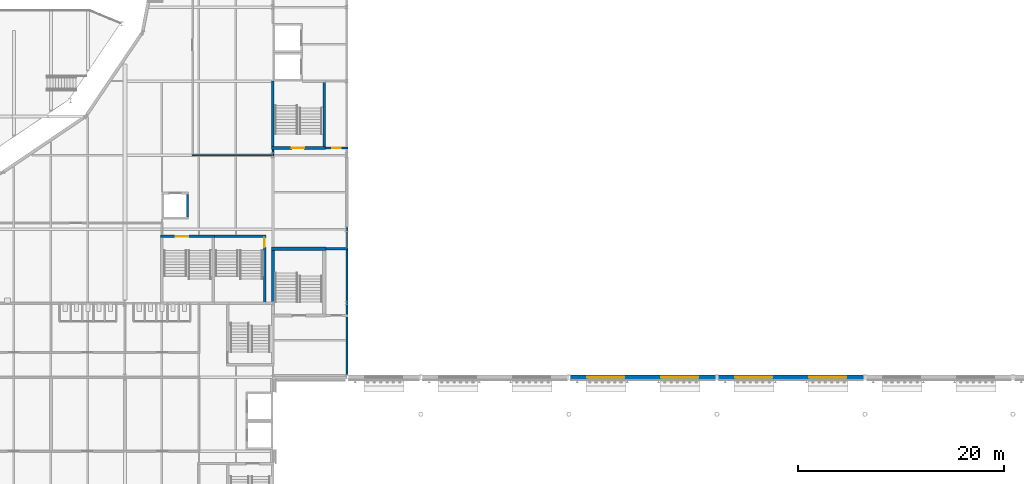
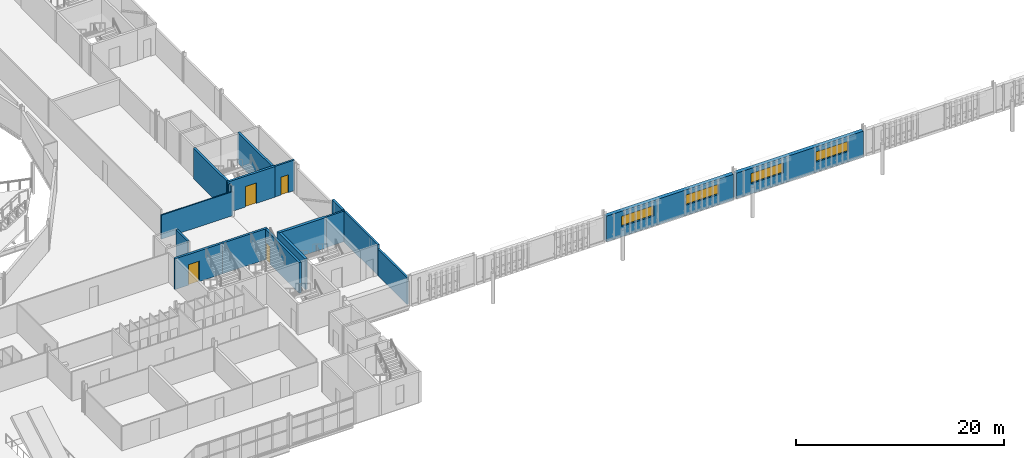
# One storey, part 69 of 124: 18 walls, 4 doors, 4 windows, 8 openings.
"""IFC4 building model written with IfcOpenShell, lengths in metres."""

from ifc_helpers import new_model, si_unit, direction, frame, frame_2d, origin, place, context, subcontext, project, spatial, rectangle, extrude, material, layer, layer_set, type_object, element, fill, save


model = new_model("IFC4")

# Units and contexts
model_context = context("Model", 3, precision=1e-05, world=origin(), true_north=direction((0.0, 1.0)))
body_context = subcontext(model_context, "Body", "Model", "MODEL_VIEW")
ifc_project = project(units=[si_unit("LENGTHUNIT", "METRE"), si_unit("AREAUNIT", "SQUARE_METRE"), si_unit("VOLUMEUNIT", "CUBIC_METRE"), si_unit("PLANEANGLEUNIT", "RADIAN"), si_unit("MASSUNIT", "GRAM", prefix="KILO")], contexts=[model_context])

# Site, building, storey
site_placement = place(None, origin())
site = spatial("IfcSite", under=ifc_project, at=site_placement, CompositionType="ELEMENT")
building_placement = place(site_placement, origin())
building = spatial("IfcBuilding", under=site, at=building_placement, Name="Kupolbacken Congress Centre", CompositionType="ELEMENT")
storey_placement = place(building_placement, frame((0.0, 0.0, 10.800048828125)))
storey = spatial("IfcBuildingStorey", under=building, at=storey_placement, Name="L03", CompositionType="ELEMENT", Elevation=10.800048828125)

# Wall, openings, windows
ifc_material_1 = material(Name="Brick", Category="masonry")
ifc_layer_1 = layer(ifc_material_1, 0.10791015625)
ifc_material_2 = material(Name="Air cavity", Category="air")
ifc_layer_2 = layer(ifc_material_2, 0.0400390625, ventilated=True)
ifc_material_3 = material(Name="Mineral wool", Category="insulation")
ifc_layer_3 = layer(ifc_material_3, 0.152099609375)
ifc_material_4 = material(Name="Concrete block", Category="masonry")
ifc_layer_4 = layer(ifc_material_4, 0.1201171875)
ifc_layer_set_1 = layer_set([ifc_layer_1, ifc_layer_2, ifc_layer_3, ifc_layer_4], Name="Brick / Mineral wool / Concrete block")
wall_type_1 = type_object("IfcWallType", Name="EW04 external cavity wall 420", PredefinedType="SOLIDWALL", material=ifc_layer_set_1)
wall_1_placement = place(storey_placement, frame((108.14990234375, 43.199951171875, 0.0), z_axis=(0.0, 0.0, 1.0), x_axis=(1.0, 0.0, 0.0)))
wall_1 = element("IfcWall", 1, at=wall_1_placement, inside=storey, type_object=wall_type_1, Name="E/H/S/L03/364", PredefinedType="SOLIDWALL", context=body_context, shape_type="SweptSolid", body=[
    extrude(rectangle(XDim=14.10009765625, YDim=0.419921875, at=frame_2d((7.050048828125, 0.0))), origin(), (0.0, 0.0, 1.0), 2.9990234375),
])
opening_1_placement = place(wall_1_placement, frame((1.64990234375, 0.0, 1.199951171875)))
opening_1 = element("IfcOpeningElement", 2, at=opening_1_placement, cuts=wall_1, Name="Opening W12", PredefinedType="OPENING", context=body_context, shape_type="SweptSolid", body=[
    extrude(rectangle(XDim=3.60009765625, YDim=1.199951171875, at=frame_2d((1.800048828125, 0.60009765625))), frame((0.0, 0.219970703125, 0.0), z_axis=(0.0, -1.0, 0.0), x_axis=(1.0, 0.0, 0.0)), (0.0, 0.0, 1.0), 0.43994140625),
])
opening_2_placement = place(wall_1_placement, frame((8.85009765625, 0.0, 1.199951171875)))
opening_2 = element("IfcOpeningElement", 3, at=opening_2_placement, cuts=wall_1, Name="Opening W12", PredefinedType="OPENING", context=body_context, shape_type="SweptSolid", body=[
    extrude(rectangle(XDim=3.60009765625, YDim=1.199951171875, at=frame_2d((1.800048828125, 0.60009765625))), frame((0.0, 0.219970703125, 0.0), z_axis=(0.0, -1.0, 0.0), x_axis=(1.0, 0.0, 0.0)), (0.0, 0.0, 1.0), 0.43994140625),
])
ifc_material_5 = material(Name="Aluminium frame with double or triple glazing", Category="aluminium")
window_type = type_object("IfcWindowType", Name="W12 window 3600x1200", PartitioningType="TRIPLE_PANEL_VERTICAL", PredefinedType="WINDOW", material=ifc_material_5)
window_1_placement = place(opening_1_placement, origin())
window_1 = element("IfcWindow", 4, at=window_1_placement, inside=storey, type_object=window_type, Name="E/H/S/L03/364/W1", OverallHeight=1.199951171875, OverallWidth=3.60009765625, PartitioningType="SINGLE_PANEL", PredefinedType="WINDOW", context=body_context, shape_type="SweptSolid", body=[
    extrude(rectangle(XDim=3.60009765625, YDim=1.199951171875, at=frame_2d((1.800048828125, 0.60009765625))), frame((0.0, 0.030029296875, 0.0), z_axis=(0.0, -1.0, 0.0), x_axis=(1.0, 0.0, 0.0)), (0.0, 0.0, 1.0), 0.06005859375),
])
fill(opening_1, window_1)
window_2_placement = place(opening_2_placement, origin())
window_2 = element("IfcWindow", 5, at=window_2_placement, inside=storey, type_object=window_type, Name="E/H/S/L03/364/W2", OverallHeight=1.199951171875, OverallWidth=3.60009765625, PartitioningType="SINGLE_PANEL", PredefinedType="WINDOW", context=body_context, shape_type="SweptSolid", body=[
    extrude(rectangle(XDim=3.60009765625, YDim=1.199951171875, at=frame_2d((1.800048828125, 0.60009765625))), frame((0.0, 0.030029296875, 0.0), z_axis=(0.0, -1.0, 0.0), x_axis=(1.0, 0.0, 0.0)), (0.0, 0.0, 1.0), 0.06005859375),
])
fill(opening_2, window_2)

wall_2_placement = place(storey_placement, frame((122.550048828125, 43.199951171875, 0.0), z_axis=(0.0, 0.0, 1.0), x_axis=(1.0, 0.0, 0.0)))
wall_2 = element("IfcWall", 6, at=wall_2_placement, inside=storey, type_object=wall_type_1, Name="E/H/S/L03/365", PredefinedType="SOLIDWALL", context=body_context, shape_type="SweptSolid", body=[
    extrude(rectangle(XDim=14.099853515625, YDim=0.419921875, at=frame_2d((7.0498046875, 0.0))), origin(), (0.0, 0.0, 1.0), 2.9990234375),
])
opening_3_placement = place(wall_2_placement, frame((1.64990234375, 0.0, 1.199951171875)))
opening_3 = element("IfcOpeningElement", 7, at=opening_3_placement, cuts=wall_2, Name="Opening W12", PredefinedType="OPENING", context=body_context, shape_type="SweptSolid", body=[
    extrude(rectangle(XDim=3.60009765625, YDim=1.199951171875, at=frame_2d((1.800048828125, 0.60009765625))), frame((0.0, 0.219970703125, 0.0), z_axis=(0.0, -1.0, 0.0), x_axis=(1.0, 0.0, 0.0)), (0.0, 0.0, 1.0), 0.43994140625),
])
opening_4_placement = place(wall_2_placement, frame((8.85009765625, 0.0, 1.199951171875)))
opening_4 = element("IfcOpeningElement", 8, at=opening_4_placement, cuts=wall_2, Name="Opening W12", PredefinedType="OPENING", context=body_context, shape_type="SweptSolid", body=[
    extrude(rectangle(XDim=3.60009765625, YDim=1.199951171875, at=frame_2d((1.800048828125, 0.60009765625))), frame((0.0, 0.219970703125, 0.0), z_axis=(0.0, -1.0, 0.0), x_axis=(1.0, 0.0, 0.0)), (0.0, 0.0, 1.0), 0.43994140625),
])
window_3_placement = place(opening_3_placement, origin())
window_3 = element("IfcWindow", 9, at=window_3_placement, inside=storey, type_object=window_type, Name="E/H/S/L03/365/W1", OverallHeight=1.199951171875, OverallWidth=3.60009765625, PartitioningType="SINGLE_PANEL", PredefinedType="WINDOW", context=body_context, shape_type="SweptSolid", body=[
    extrude(rectangle(XDim=3.60009765625, YDim=1.199951171875, at=frame_2d((1.800048828125, 0.60009765625))), frame((0.0, 0.030029296875, 0.0), z_axis=(0.0, -1.0, 0.0), x_axis=(1.0, 0.0, 0.0)), (0.0, 0.0, 1.0), 0.06005859375),
])
fill(opening_3, window_3)
window_4_placement = place(opening_4_placement, origin())
window_4 = element("IfcWindow", 10, at=window_4_placement, inside=storey, type_object=window_type, Name="E/H/S/L03/365/W2", OverallHeight=1.199951171875, OverallWidth=3.60009765625, PartitioningType="SINGLE_PANEL", PredefinedType="WINDOW", context=body_context, shape_type="SweptSolid", body=[
    extrude(rectangle(XDim=3.60009765625, YDim=1.199951171875, at=frame_2d((1.800048828125, 0.60009765625))), frame((0.0, 0.030029296875, 0.0), z_axis=(0.0, -1.0, 0.0), x_axis=(1.0, 0.0, 0.0)), (0.0, 0.0, 1.0), 0.06005859375),
])
fill(opening_4, window_4)

# Walls
ifc_material_6 = material(Name="Gypsum board", Category="drywall")
ifc_layer_5 = layer(ifc_material_6, 0.135009765625)
ifc_layer_set_2 = layer_set([ifc_layer_5], Name="Gypsum board")
wall_type_2 = type_object("IfcWallType", Name="P06 compartment wall 135", PredefinedType="PARTITIONING", material=ifc_layer_set_2)
wall_3_placement = place(storey_placement, frame((79.199951171875, 65.31494140625, 0.0), z_axis=(0.0, 0.0, 1.0), x_axis=(0.0, -1.0, 0.0)))
element("IfcWall", 11, at=wall_3_placement, inside=storey, type_object=wall_type_2, Name="PD/L03/W009", PredefinedType="PARTITIONING", context=body_context, shape_type="SweptSolid", body=[
    extrude(rectangle(XDim=0.447509765625, YDim=0.135009765625, at=frame_2d((0.2236328125, 0.0))), origin(), (0.0, 0.0, 1.0), 3.419921875),
])
wall_4_placement = place(storey_placement, frame((79.267578125, 64.800048828125, 0.0), z_axis=(0.0, 0.0, 1.0), x_axis=(-1.0, 0.0, 0.0)))
element("IfcWall", 12, at=wall_4_placement, inside=storey, type_object=wall_type_2, Name="PD/L03/W070", PredefinedType="PARTITIONING", context=body_context, shape_type="SweptSolid", body=[
    extrude(rectangle(XDim=7.93505859375, YDim=0.135009765625, at=frame_2d((3.967529296875, 0.0))), origin(), (0.0, 0.0, 1.0), 2.820068359375),
])
ifc_material_7 = material(Name="Dense concrete block", Category="masonry")
ifc_layer_6 = layer(ifc_material_7, 0.215087890625)
ifc_layer_set_3 = layer_set([ifc_layer_6], Name="Dense concrete block")
wall_type_3 = type_object("IfcWallType", Name="P15 partition 215", PredefinedType="PARTITIONING", material=ifc_layer_set_3)
wall_5_placement = place(storey_placement, frame((86.39990234375, 43.47998046875, 0.0), z_axis=(0.0, 0.0, 1.0), x_axis=(0.0, 1.0, 0.0)))
element("IfcWall", 13, at=wall_5_placement, inside=storey, type_object=wall_type_3, Name="PD/L03/W008", PredefinedType="PARTITIONING", context=body_context, shape_type="SweptSolid", body=[
    extrude(rectangle(XDim=5.56005859375, YDim=0.215087890625, at=frame_2d((2.780029296875, 0.0))), origin(), (0.0, 0.0, 1.0), 3.14990234375),
])
wall_6_placement = place(storey_placement, frame((86.39990234375, 55.860107421875, 0.0), z_axis=(0.0, 0.0, 1.0), x_axis=(0.0, 1.0, 0.0)))
element("IfcWall", 14, at=wall_6_placement, inside=storey, type_object=wall_type_3, Name="PD/L03/W010", PredefinedType="PARTITIONING", context=body_context, shape_type="SweptSolid", body=[
    extrude(rectangle(XDim=1.98486328125, YDim=0.215087890625, at=frame_2d((0.992431640625, 0.0))), origin(), (0.0, 0.0, 1.0), 3.599853515625),
])
ifc_material_8 = material(Name="Concrete C40/50", Category="concrete")
ifc_layer_7 = layer(ifc_material_8, 0.199951171875)
ifc_layer_set_4 = layer_set([ifc_layer_7], Name="Concrete C40/50")
wall_type_4 = type_object("IfcWallType", Name="WC1 RC shaft wall 200", PredefinedType="SHEAR", material=ifc_layer_set_4)
wall_7_placement = place(storey_placement, frame((86.39990234375, 49.10009765625, 0.0), z_axis=(0.0, 0.0, 1.0), x_axis=(0.0, 1.0, 0.0)))
element("IfcWall", 15, at=wall_7_placement, inside=storey, type_object=wall_type_4, Name="Shaft wall L03-022", PredefinedType="SHEAR", context=body_context, shape_type="SweptSolid", body=[
    extrude(rectangle(XDim=6.699951171875, YDim=0.199951171875, at=frame_2d((3.35009765625, 0.0))), origin(), (0.0, 0.0, 1.0), 3.599853515625),
])
wall_8_placement = place(storey_placement, frame((86.5, 55.699951171875, 0.0), z_axis=(0.0, 0.0, 1.0), x_axis=(-1.0, 0.0, 0.0)))
element("IfcWall", 16, at=wall_8_placement, inside=storey, type_object=wall_type_4, Name="Shaft wall L03-039", PredefinedType="SHEAR", context=body_context, shape_type="SweptSolid", body=[
    extrude(rectangle(XDim=2.14990234375, YDim=0.199951171875, at=frame_2d((1.074951171875, 0.0))), origin(), (0.0, 0.0, 1.0), 3.599853515625),
])

# Wall, opening, door
wall_9_placement = place(storey_placement, frame((84.324951171875, 65.5, 0.0), z_axis=(0.0, 0.0, 1.0), x_axis=(1.0, 0.0, 0.0)))
wall_9 = element("IfcWall", 17, at=wall_9_placement, inside=storey, type_object=wall_type_4, Name="Shaft wall L03-046", PredefinedType="SHEAR", context=body_context, shape_type="SweptSolid", body=[
    extrude(rectangle(XDim=2.175048828125, YDim=0.199951171875, at=frame_2d((1.08740234375, 0.0))), origin(), (0.0, 0.0, 1.0), 3.599853515625),
])
opening_5_placement = place(wall_9_placement, frame((0.64990234375, 0.0, 0.0)))
opening_5 = element("IfcOpeningElement", 18, at=opening_5_placement, cuts=wall_9, Name="Opening 3.L07", PredefinedType="OPENING", context=body_context, shape_type="SweptSolid", body=[
    extrude(rectangle(XDim=0.85009765625, YDim=2.10009765625, at=frame_2d((0.425048828125, 1.050048828125))), frame((0.0, 0.10986328125, 0.0), z_axis=(0.0, -1.0, 0.0), x_axis=(1.0, 0.0, 0.0)), (0.0, 0.0, 1.0), 0.219970703125),
])
ifc_material_9 = material(Name="Steel fire door leaf", Category="steel")
door_type_1 = type_object("IfcDoorType", Name="D3 fire door 850x2100", OperationType="SINGLE_SWING_LEFT", PredefinedType="DOOR", material=ifc_material_9)
door_1_placement = place(opening_5_placement, origin())
door_1 = element("IfcDoor", 19, at=door_1_placement, inside=storey, type_object=door_type_1, Name="S/core/L03/046/D3L07", OperationType="SINGLE_SWING_LEFT", OverallHeight=2.10009765625, OverallWidth=0.85009765625, PredefinedType="DOOR", context=body_context, shape_type="SweptSolid", body=[
    extrude(rectangle(XDim=0.85009765625, YDim=2.10009765625, at=frame_2d((0.425048828125, 1.050048828125))), frame((0.0, 0.02490234375, 0.0), z_axis=(0.0, -1.0, 0.0), x_axis=(1.0, 0.0, 0.0)), (0.0, 0.0, 1.0), 0.050048828125),
])
fill(opening_5, door_1)

# Wall
wall_10_placement = place(storey_placement, frame((70.89990234375, 58.800048828125, 0.0), z_axis=(0.0, 0.0, 1.0), x_axis=(0.0, 1.0, 0.0)))
element("IfcWall", 20, at=wall_10_placement, inside=storey, type_object=wall_type_4, Name="Shaft wall LP6", PredefinedType="SHEAR", context=body_context, shape_type="SweptSolid", body=[
    extrude(rectangle(XDim=2.199951171875, YDim=0.199951171875, at=frame_2d((1.10009765625, 0.0))), origin(), (0.0, 0.0, 1.0), 3.599853515625),
])

# Wall, opening, door
ifc_material_10 = material(Name="Concrete C40/50", Category="concrete")
ifc_layer_8 = layer(ifc_material_10, 0.25)
ifc_layer_set_5 = layer_set([ifc_layer_8], Name="Concrete C40/50")
wall_type_5 = type_object("IfcWallType", Name="WC2 RC stair enclosure wall 250", PredefinedType="SHEAR", material=ifc_layer_set_5)
wall_11_placement = place(storey_placement, frame((78.39990234375, 50.27490234375, 0.0), z_axis=(0.0, 0.0, 1.0), x_axis=(0.0, 1.0, 0.0)))
wall_11 = element("IfcWall", 21, at=wall_11_placement, inside=storey, type_object=wall_type_5, Name="Stair enclosure wall L03-032", PredefinedType="SHEAR", context=body_context, shape_type="SweptSolid", body=[
    extrude(rectangle(XDim=6.75, YDim=0.25, at=frame_2d((3.375, 0.0))), origin(), (0.0, 0.0, 1.0), 3.599853515625),
])
opening_6_placement = place(wall_11_placement, frame((5.574951171875, 0.0, 0.0)))
opening_6 = element("IfcOpeningElement", 22, at=opening_6_placement, cuts=wall_11, Name="Opening 3.P04", PredefinedType="OPENING", context=body_context, shape_type="SweptSolid", body=[
    extrude(rectangle(XDim=0.89990234375, YDim=2.10009765625, at=frame_2d((0.449951171875, 1.050048828125))), frame((0.0, 0.135009765625, 0.0), z_axis=(0.0, -1.0, 0.0), x_axis=(1.0, 0.0, 0.0)), (0.0, 0.0, 1.0), 0.27001953125),
])
ifc_material_11 = material(Name="Steel fire door leaf", Category="steel")
door_type_2 = type_object("IfcDoorType", Name="D4 fire door 900x2100", OperationType="SINGLE_SWING_LEFT", PredefinedType="DOOR", material=ifc_material_11)
door_2_placement = place(opening_6_placement, origin())
door_2 = element("IfcDoor", 23, at=door_2_placement, inside=storey, type_object=door_type_2, Name="S/core/L03/032/D3P04", OperationType="SINGLE_SWING_LEFT", OverallHeight=2.10009765625, OverallWidth=0.89990234375, PredefinedType="DOOR", context=body_context, shape_type="SweptSolid", body=[
    extrude(rectangle(XDim=0.89990234375, YDim=2.10009765625, at=frame_2d((0.449951171875, 1.050048828125))), frame((0.0, 0.02490234375, 0.0), z_axis=(0.0, -1.0, 0.0), x_axis=(1.0, 0.0, 0.0)), (0.0, 0.0, 1.0), 0.050048828125),
])
fill(opening_6, door_2)

wall_12_placement = place(storey_placement, frame((73.52490234375, 56.89990234375, 0.0), z_axis=(0.0, 0.0, 1.0), x_axis=(-1.0, 0.0, 0.0)))
wall_12 = element("IfcWall", 24, at=wall_12_placement, inside=storey, type_object=wall_type_5, Name="Stair enclosure wall L03-041", PredefinedType="SHEAR", context=body_context, shape_type="SweptSolid", body=[
    extrude(rectangle(XDim=5.25, YDim=0.25, at=frame_2d((2.625, 0.0))), origin(), (0.0, 0.0, 1.0), 3.599853515625),
])
opening_7_placement = place(wall_12_placement, frame((2.574951171875, 0.0, 0.0)))
opening_7 = element("IfcOpeningElement", 25, at=opening_7_placement, cuts=wall_12, Name="Opening 3.P03", PredefinedType="OPENING", context=body_context, shape_type="SweptSolid", body=[
    extrude(rectangle(XDim=1.199951171875, YDim=2.39990234375, at=frame_2d((0.60009765625, 1.199951171875))), frame((0.0, 0.135009765625, 0.0), z_axis=(0.0, -1.0, 0.0), x_axis=(1.0, 0.0, 0.0)), (0.0, 0.0, 1.0), 0.27001953125),
])
ifc_material_12 = material(Name="Steel fire door leaf", Category="steel")
door_type_3 = type_object("IfcDoorType", Name="D9 fire door 1200x2400", OperationType="SINGLE_SWING_LEFT", PredefinedType="DOOR", material=ifc_material_12)
door_3_placement = place(opening_7_placement, origin())
door_3 = element("IfcDoor", 26, at=door_3_placement, inside=storey, type_object=door_type_3, Name="S/core/L03/041/D3P03", OperationType="SINGLE_SWING_LEFT", OverallHeight=2.39990234375, OverallWidth=1.199951171875, PredefinedType="DOOR", context=body_context, shape_type="SweptSolid", body=[
    extrude(rectangle(XDim=1.199951171875, YDim=2.39990234375, at=frame_2d((0.60009765625, 1.199951171875))), frame((0.0, 0.02490234375, 0.0), z_axis=(0.0, -1.0, 0.0), x_axis=(1.0, 0.0, 0.0)), (0.0, 0.0, 1.0), 0.050048828125),
])
fill(opening_7, door_3)

# Wall
wall_13_placement = place(storey_placement, frame((78.52490234375, 56.89990234375, 0.0), z_axis=(0.0, 0.0, 1.0), x_axis=(-1.0, 0.0, 0.0)))
element("IfcWall", 27, at=wall_13_placement, inside=storey, type_object=wall_type_5, Name="Stair enclosure wall L03-042", PredefinedType="SHEAR", context=body_context, shape_type="SweptSolid", body=[
    extrude(rectangle(XDim=5.0, YDim=0.25, at=frame_2d((2.5, 0.0))), origin(), (0.0, 0.0, 1.0), 3.599853515625),
])

# Wall, opening, door
wall_14_placement = place(storey_placement, frame((79.074951171875, 65.5, 0.0), z_axis=(0.0, 0.0, 1.0), x_axis=(1.0, 0.0, 0.0)))
wall_14 = element("IfcWall", 28, at=wall_14_placement, inside=storey, type_object=wall_type_5, Name="Stair enclosure wall L03-045", PredefinedType="SHEAR", context=body_context, shape_type="SweptSolid", body=[
    extrude(rectangle(XDim=5.25, YDim=0.25, at=frame_2d((2.625, 0.0))), origin(), (0.0, 0.0, 1.0), 3.599853515625),
])
opening_8_placement = place(wall_14_placement, frame((1.97509765625, 0.0, 0.0)))
opening_8 = element("IfcOpeningElement", 29, at=opening_8_placement, cuts=wall_14, Name="Opening 3.L02", PredefinedType="OPENING", context=body_context, shape_type="SweptSolid", body=[
    extrude(rectangle(XDim=1.199951171875, YDim=2.39990234375, at=frame_2d((0.60009765625, 1.199951171875))), frame((0.0, 0.135009765625, 0.0), z_axis=(0.0, -1.0, 0.0), x_axis=(1.0, 0.0, 0.0)), (0.0, 0.0, 1.0), 0.27001953125),
])
door_4_placement = place(opening_8_placement, origin())
door_4 = element("IfcDoor", 30, at=door_4_placement, inside=storey, type_object=door_type_3, Name="S/core/L03/045/D3L02", OperationType="SINGLE_SWING_RIGHT", OverallHeight=2.39990234375, OverallWidth=1.199951171875, PredefinedType="DOOR", context=body_context, shape_type="SweptSolid", body=[
    extrude(rectangle(XDim=1.199951171875, YDim=2.39990234375, at=frame_2d((0.60009765625, 1.199951171875))), frame((0.0, 0.02490234375, 0.0), z_axis=(0.0, -1.0, 0.0), x_axis=(1.0, 0.0, 0.0)), (0.0, 0.0, 1.0), 0.050048828125),
])
fill(opening_8, door_4)

# Walls
wall_15_placement = place(storey_placement, frame((84.199951171875, 65.375, 0.0), z_axis=(0.0, 0.0, 1.0), x_axis=(0.0, 1.0, 0.0)))
element("IfcWall", 31, at=wall_15_placement, inside=storey, type_object=wall_type_5, Name="Stair enclosure wall L03-047", PredefinedType="SHEAR", context=body_context, shape_type="SweptSolid", body=[
    extrude(rectangle(XDim=6.75, YDim=0.25, at=frame_2d((3.375, 0.0))), origin(), (0.0, 0.0, 1.0), 3.599853515625),
])
wall_16_placement = place(storey_placement, frame((79.199951171875, 72.0, 0.0), z_axis=(0.0, 0.0, 1.0), x_axis=(0.0, -1.0, 0.0)))
element("IfcWall", 32, at=wall_16_placement, inside=storey, type_object=wall_type_5, Name="Stair enclosure wall L03-049", PredefinedType="SHEAR", context=body_context, shape_type="SweptSolid", body=[
    extrude(rectangle(XDim=6.625, YDim=0.25, at=frame_2d((3.3125, 0.0))), origin(), (0.0, 0.0, 1.0), 3.599853515625),
])
ifc_material_13 = material(Name="Concrete C40/50", Category="concrete")
ifc_layer_9 = layer(ifc_material_13, 0.300048828125)
ifc_layer_set_6 = layer_set([ifc_layer_9], Name="Concrete C40/50")
wall_type_6 = type_object("IfcWallType", Name="WC3 RC core wall 300", PredefinedType="SHEAR", material=ifc_layer_set_6)
wall_17_placement = place(storey_placement, frame((79.199951171875, 55.85009765625, 0.0), z_axis=(0.0, 0.0, 1.0), x_axis=(0.0, -1.0, 0.0)))
element("IfcWall", 33, at=wall_17_placement, inside=storey, type_object=wall_type_6, Name="Core wall L03-037", PredefinedType="SHEAR", context=body_context, shape_type="SweptSolid", body=[
    extrude(rectangle(XDim=5.3251953125, YDim=0.300048828125, at=frame_2d((2.66259765625, 0.0))), origin(), (0.0, 0.0, 1.0), 3.599853515625),
])
wall_18_placement = place(storey_placement, frame((84.35009765625, 55.699951171875, 0.0), z_axis=(0.0, 0.0, 1.0), x_axis=(-1.0, 0.0, 0.0)))
element("IfcWall", 34, at=wall_18_placement, inside=storey, type_object=wall_type_6, Name="Core wall L03-038", PredefinedType="SHEAR", context=body_context, shape_type="SweptSolid", body=[
    extrude(rectangle(XDim=5.300048828125, YDim=0.300048828125, at=frame_2d((2.64990234375, 0.0))), origin(), (0.0, 0.0, 1.0), 3.599853515625),
])

save(model, "model.ifc")
